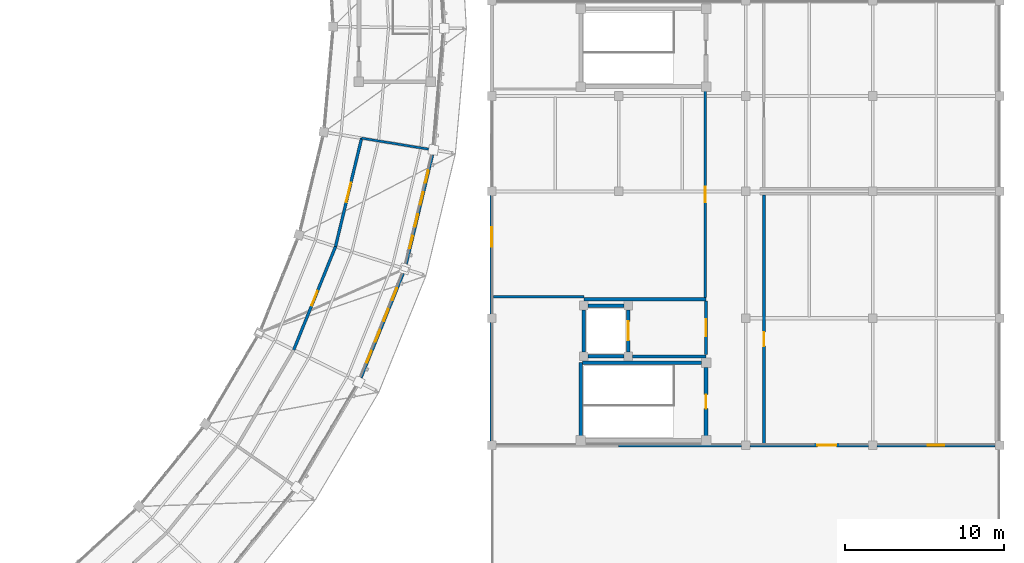
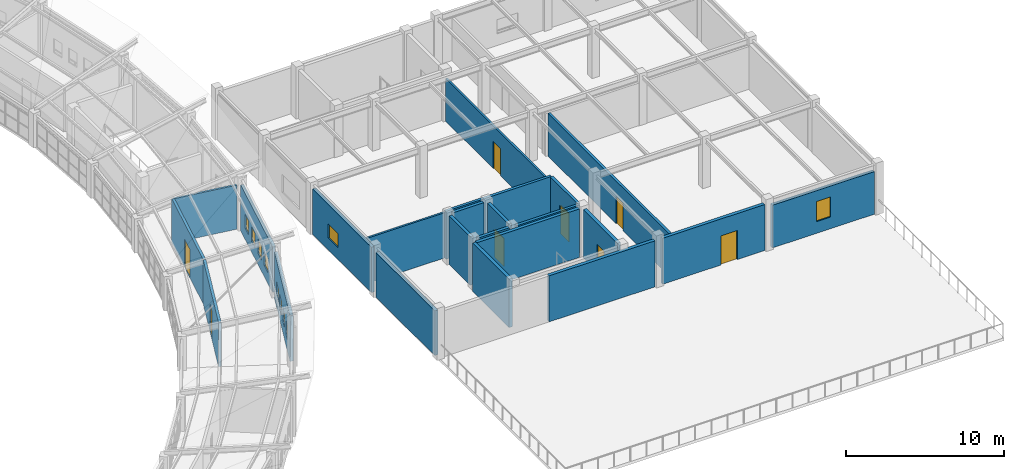
# One storey, part 132 of 149: 23 walls, 10 windows, 8 doors, 18 openings.
"""IFC4 building model written with IfcOpenShell, lengths in metres."""

from ifc_helpers import new_model, si_unit, direction, frame, frame_2d, origin, place, context, subcontext, project, spatial, rectangle, extrude, material, layer, layer_set, type_object, element, fill, save


model = new_model("IFC4")

# Units and contexts
model_context = context("Model", 3, precision=1e-05, world=origin(), true_north=direction((0.0, 1.0)))
body_context = subcontext(model_context, "Body", "Model", "MODEL_VIEW")
ifc_project = project(units=[si_unit("LENGTHUNIT", "METRE"), si_unit("AREAUNIT", "SQUARE_METRE"), si_unit("VOLUMEUNIT", "CUBIC_METRE"), si_unit("PLANEANGLEUNIT", "RADIAN"), si_unit("MASSUNIT", "GRAM", prefix="KILO")], contexts=[model_context])

# Site, building, storey
site_placement = place(None, origin())
site = spatial("IfcSite", under=ifc_project, at=site_placement, CompositionType="ELEMENT")
building_placement = place(site_placement, origin())
building = spatial("IfcBuilding", under=site, at=building_placement, Name="Celadon Cloister-Ring School", CompositionType="ELEMENT")
storey_placement = place(building_placement, frame((0.0, 0.0, 12.5)))
storey = spatial("IfcBuildingStorey", under=building, at=storey_placement, Name="L03", CompositionType="ELEMENT", Elevation=12.5)

# Wall
ifc_material_1 = material(Name="Rendered concrete blockwork", Category="masonry")
ifc_layer_1 = layer(ifc_material_1, 0.239990234375)
ifc_layer_set_1 = layer_set([ifc_layer_1], Name="Rendered concrete blockwork")
wall_type_1 = type_object("IfcWallType", Name="WT-EX3", PredefinedType="SOLIDWALL", material=ifc_layer_set_1)
wall_1_placement = place(storey_placement, frame((142.0, 32.277099609375, 0.0), z_axis=(0.0, 0.0, 1.0), x_axis=(0.0, 1.0, 0.0)))
element("IfcWall", 1, at=wall_1_placement, inside=storey, type_object=wall_type_1, Name="Exterior Wall 0471", PredefinedType="SOLIDWALL", context=body_context, shape_type="SweptSolid", body=[
    extrude(rectangle(XDim=7.44580078125, YDim=0.239990234375, at=frame_2d((3.722900390625, 0.0))), origin(), (0.0, 0.0, 1.0), 3.44189453125),
])

# Wall, opening, window
wall_2_placement = place(storey_placement, frame((142.0, 40.277099609375, 0.0), z_axis=(0.0, 0.0, 1.0), x_axis=(0.0, 1.0, 0.0)))
wall_2 = element("IfcWall", 2, at=wall_2_placement, inside=storey, type_object=wall_type_1, Name="Exterior Wall 0472", PredefinedType="SOLIDWALL", context=body_context, shape_type="SweptSolid", body=[
    extrude(rectangle(XDim=7.44580078125, YDim=0.239990234375, at=frame_2d((3.722900390625, 0.0))), origin(), (0.0, 0.0, 1.0), 3.493896484375),
])
opening_1_placement = place(wall_2_placement, frame((4.215087890625, 0.0, 0.89990234375)))
opening_1 = element("IfcOpeningElement", 3, at=opening_1_placement, cuts=wall_2, Name="Opening WN-04", PredefinedType="OPENING", context=body_context, shape_type="SweptSolid", body=[
    extrude(rectangle(XDim=1.25, YDim=1.10009765625, at=frame_2d((0.625, 0.550048828125))), frame((0.0, 0.1298828125, 0.0), z_axis=(0.0, -1.0, 0.0), x_axis=(1.0, 0.0, 0.0)), (0.0, 0.0, 1.0), 0.260009765625),
])
ifc_material_2 = material(Name="Tempered laminated insulating glass", Category="glass")
window_type_1 = type_object("IfcWindowType", Name="WN-04", PartitioningType="SINGLE_PANEL", PredefinedType="WINDOW", material=ifc_material_2)
window_1_placement = place(opening_1_placement, origin())
window_1 = element("IfcWindow", 4, at=window_1_placement, inside=storey, type_object=window_type_1, Name="Window 0989", OverallHeight=1.10009765625, OverallWidth=1.25, PartitioningType="SINGLE_PANEL", PredefinedType="WINDOW", context=body_context, shape_type="SweptSolid", body=[
    extrude(rectangle(XDim=1.25, YDim=1.10009765625, at=frame_2d((0.625, 0.550048828125))), frame((0.0, 0.030029296875, 0.0), z_axis=(0.0, -1.0, 0.0), x_axis=(1.0, 0.0, 0.0)), (0.0, 0.0, 1.0), 0.06005859375),
])
fill(opening_1, window_1)

wall_3_placement = place(storey_placement, frame((173.722900390625, 32.0, 0.0), z_axis=(0.0, 0.0, 1.0), x_axis=(-1.0, 0.0, 0.0)))
wall_3 = element("IfcWall", 5, at=wall_3_placement, inside=storey, type_object=wall_type_1, Name="Exterior Wall 0483", PredefinedType="SOLIDWALL", context=body_context, shape_type="SweptSolid", body=[
    extrude(rectangle(XDim=7.44580078125, YDim=0.239990234375, at=frame_2d((3.722900390625, 0.0))), origin(), (0.0, 0.0, 1.0), 3.2890625),
])
opening_2_placement = place(wall_3_placement, frame((3.197998046875, 0.0, 0.89990234375)))
opening_2 = element("IfcOpeningElement", 6, at=opening_2_placement, cuts=wall_3, Name="Opening WN-32", PredefinedType="OPENING", context=body_context, shape_type="SweptSolid", body=[
    extrude(rectangle(XDim=1.050048828125, YDim=1.550048828125, at=frame_2d((0.52490234375, 0.77490234375))), frame((0.0, 0.1298828125, 0.0), z_axis=(0.0, -1.0, 0.0), x_axis=(1.0, 0.0, 0.0)), (0.0, 0.0, 1.0), 0.260009765625),
])
ifc_material_3 = material(Name="Tempered laminated insulating glass", Category="glass")
window_type_2 = type_object("IfcWindowType", Name="WN-32", PartitioningType="SINGLE_PANEL", PredefinedType="WINDOW", material=ifc_material_3)
window_2_placement = place(opening_2_placement, origin())
window_2 = element("IfcWindow", 7, at=window_2_placement, inside=storey, type_object=window_type_2, Name="Window 0994", OverallHeight=1.550048828125, OverallWidth=1.050048828125, PartitioningType="SINGLE_PANEL", PredefinedType="WINDOW", context=body_context, shape_type="SweptSolid", body=[
    extrude(rectangle(XDim=1.050048828125, YDim=1.550048828125, at=frame_2d((0.52490234375, 0.77490234375))), frame((0.0, 0.030029296875, 0.0), z_axis=(0.0, -1.0, 0.0), x_axis=(1.0, 0.0, 0.0)), (0.0, 0.0, 1.0), 0.06005859375),
])
fill(opening_2, window_2)

# Wall, opening, door
wall_4_placement = place(storey_placement, frame((165.722900390625, 32.0, 0.0), z_axis=(0.0, 0.0, 1.0), x_axis=(-1.0, 0.0, 0.0)))
wall_4 = element("IfcWall", 8, at=wall_4_placement, inside=storey, type_object=wall_type_1, Name="Exterior Wall 0484", PredefinedType="SOLIDWALL", context=body_context, shape_type="SweptSolid", body=[
    extrude(rectangle(XDim=7.44580078125, YDim=0.239990234375, at=frame_2d((3.722900390625, 0.0))), origin(), (0.0, 0.0, 1.0), 3.550048828125),
])
opening_3_placement = place(wall_4_placement, frame((2.006103515625, 0.0, 0.0)))
opening_3 = element("IfcOpeningElement", 9, at=opening_3_placement, cuts=wall_4, Name="Opening D-0023", PredefinedType="OPENING", context=body_context, shape_type="SweptSolid", body=[
    extrude(rectangle(XDim=1.199951171875, YDim=2.25, at=frame_2d((0.60009765625, 1.125))), frame((0.0, 0.1298828125, 0.0), z_axis=(0.0, -1.0, 0.0), x_axis=(1.0, 0.0, 0.0)), (0.0, 0.0, 1.0), 0.260009765625),
])
ifc_material_4 = material(Name="Aluminium EN AW-6063 T6", Category="aluminium")
door_type_1 = type_object("IfcDoorType", Name="DE-06", OperationType="NOTDEFINED", PredefinedType="DOOR", material=ifc_material_4)
door_1_placement = place(opening_3_placement, origin())
door_1 = element("IfcDoor", 10, at=door_1_placement, inside=storey, type_object=door_type_1, Name="Exterior Door D-0023", OperationType="SINGLE_SWING_LEFT", OverallHeight=2.25, OverallWidth=1.199951171875, PredefinedType="DOOR", context=body_context, shape_type="SweptSolid", body=[
    extrude(rectangle(XDim=1.199951171875, YDim=2.25, at=frame_2d((0.60009765625, 1.125))), frame((0.0, 0.02490234375, 0.0), z_axis=(0.0, -1.0, 0.0), x_axis=(1.0, 0.0, 0.0)), (0.0, 0.0, 1.0), 0.050048828125),
])
fill(opening_3, door_1)

# Wall
wall_5_placement = place(storey_placement, frame((157.722900390625, 32.0, 0.0), z_axis=(0.0, 0.0, 1.0), x_axis=(-1.0, 0.0, 0.0)))
element("IfcWall", 11, at=wall_5_placement, inside=storey, type_object=wall_type_1, Name="Exterior Wall 0485", PredefinedType="SOLIDWALL", context=body_context, shape_type="SweptSolid", body=[
    extrude(rectangle(XDim=7.722900390625, YDim=0.239990234375, at=frame_2d((3.861328125, 0.0))), origin(), (0.0, 0.0, 1.0), 3.550048828125),
])

# Wall, openings, windows
ifc_material_5 = material(Name="Perforated terracotta clay brick masonry", Category="masonry")
ifc_layer_2 = layer(ifc_material_5, 0.219970703125)
ifc_layer_set_2 = layer_set([ifc_layer_2], Name="Perforated terracotta clay brick masonry")
wall_type_2 = type_object("IfcWallType", Name="WT-EX4", PredefinedType="SOLIDWALL", material=ifc_layer_set_2)
wall_6_placement = place(storey_placement, frame((136.39794921875, 42.830078125, 0.0), z_axis=(0.0, 0.0, 1.0), x_axis=(-0.375031251377, -0.92701216847, 0.0)))
wall_6 = element("IfcWall", 12, at=wall_6_placement, inside=storey, type_object=wall_type_2, Name="Exterior Wall 0199", PredefinedType="SOLIDWALL", context=body_context, shape_type="SweptSolid", body=[
    extrude(rectangle(XDim=7.08203125, YDim=0.219970703125, at=frame_2d((3.541015625, 0.0))), origin(), (0.0, 0.0, 1.0), 3.537109375),
])
opening_4_placement = place(wall_6_placement, frame((1.01611328125, 0.0, 0.85009765625)))
opening_4 = element("IfcOpeningElement", 13, at=opening_4_placement, cuts=wall_6, Name="Opening WN-01", PredefinedType="OPENING", context=body_context, shape_type="SweptSolid", body=[
    extrude(rectangle(XDim=0.800048828125, YDim=1.10009765625, at=frame_2d((0.39990234375, 0.550048828125))), frame((0.0, 0.1201171875, 0.0), z_axis=(0.0, -1.0, 0.0), x_axis=(1.0, 0.0, 0.0)), (0.0, 0.0, 1.0), 0.239990234375),
])
opening_5_placement = place(wall_6_placement, frame((2.43310546875, 0.0, 0.85009765625)))
opening_5 = element("IfcOpeningElement", 14, at=opening_5_placement, cuts=wall_6, Name="Opening WN-01", PredefinedType="OPENING", context=body_context, shape_type="SweptSolid", body=[
    extrude(rectangle(XDim=0.800048828125, YDim=1.10009765625, at=frame_2d((0.39990234375, 0.550048828125))), frame((0.0, 0.1201171875, 0.0), z_axis=(0.0, -1.0, 0.0), x_axis=(1.0, 0.0, 0.0)), (0.0, 0.0, 1.0), 0.239990234375),
])
opening_6_placement = place(wall_6_placement, frame((3.84912109375, 0.0, 0.85009765625)))
opening_6 = element("IfcOpeningElement", 15, at=opening_6_placement, cuts=wall_6, Name="Opening WN-01", PredefinedType="OPENING", context=body_context, shape_type="SweptSolid", body=[
    extrude(rectangle(XDim=0.800048828125, YDim=1.10009765625, at=frame_2d((0.39990234375, 0.550048828125))), frame((0.0, 0.1201171875, 0.0), z_axis=(0.0, -1.0, 0.0), x_axis=(1.0, 0.0, 0.0)), (0.0, 0.0, 1.0), 0.239990234375),
])
opening_7_placement = place(wall_6_placement, frame((5.26611328125, 0.0, 0.85009765625)))
opening_7 = element("IfcOpeningElement", 16, at=opening_7_placement, cuts=wall_6, Name="Opening WN-01", PredefinedType="OPENING", context=body_context, shape_type="SweptSolid", body=[
    extrude(rectangle(XDim=0.800048828125, YDim=1.10009765625, at=frame_2d((0.39990234375, 0.550048828125))), frame((0.0, 0.1201171875, 0.0), z_axis=(0.0, -1.0, 0.0), x_axis=(1.0, 0.0, 0.0)), (0.0, 0.0, 1.0), 0.239990234375),
])
ifc_material_6 = material(Name="Tempered laminated insulating glass", Category="glass")
window_type_3 = type_object("IfcWindowType", Name="WN-01", PartitioningType="SINGLE_PANEL", PredefinedType="WINDOW", material=ifc_material_6)
window_3_placement = place(opening_4_placement, origin())
window_3 = element("IfcWindow", 17, at=window_3_placement, inside=storey, type_object=window_type_3, Name="Window 0538", OverallHeight=1.10009765625, OverallWidth=0.800048828125, PartitioningType="SINGLE_PANEL", PredefinedType="WINDOW", context=body_context, shape_type="SweptSolid", body=[
    extrude(rectangle(XDim=0.800048828125, YDim=1.10009765625, at=frame_2d((0.39990234375, 0.550048828125))), frame((0.0, 0.030029296875, 0.0), z_axis=(0.0, -1.0, 0.0), x_axis=(1.0, 0.0, 0.0)), (0.0, 0.0, 1.0), 0.06005859375),
])
fill(opening_4, window_3)
window_4_placement = place(opening_5_placement, origin())
window_4 = element("IfcWindow", 18, at=window_4_placement, inside=storey, type_object=window_type_3, Name="Window 0539", OverallHeight=1.10009765625, OverallWidth=0.800048828125, PartitioningType="SINGLE_PANEL", PredefinedType="WINDOW", context=body_context, shape_type="SweptSolid", body=[
    extrude(rectangle(XDim=0.800048828125, YDim=1.10009765625, at=frame_2d((0.39990234375, 0.550048828125))), frame((0.0, 0.030029296875, 0.0), z_axis=(0.0, -1.0, 0.0), x_axis=(1.0, 0.0, 0.0)), (0.0, 0.0, 1.0), 0.06005859375),
])
fill(opening_5, window_4)
window_5_placement = place(opening_6_placement, origin())
window_5 = element("IfcWindow", 19, at=window_5_placement, inside=storey, type_object=window_type_3, Name="Window 0540", OverallHeight=1.10009765625, OverallWidth=0.800048828125, PartitioningType="SINGLE_PANEL", PredefinedType="WINDOW", context=body_context, shape_type="SweptSolid", body=[
    extrude(rectangle(XDim=0.800048828125, YDim=1.10009765625, at=frame_2d((0.39990234375, 0.550048828125))), frame((0.0, 0.030029296875, 0.0), z_axis=(0.0, -1.0, 0.0), x_axis=(1.0, 0.0, 0.0)), (0.0, 0.0, 1.0), 0.06005859375),
])
fill(opening_6, window_5)
window_6_placement = place(opening_7_placement, origin())
window_6 = element("IfcWindow", 20, at=window_6_placement, inside=storey, type_object=window_type_3, Name="Window 0541", OverallHeight=1.10009765625, OverallWidth=0.800048828125, PartitioningType="SINGLE_PANEL", PredefinedType="WINDOW", context=body_context, shape_type="SweptSolid", body=[
    extrude(rectangle(XDim=0.800048828125, YDim=1.10009765625, at=frame_2d((0.39990234375, 0.550048828125))), frame((0.0, 0.030029296875, 0.0), z_axis=(0.0, -1.0, 0.0), x_axis=(1.0, 0.0, 0.0)), (0.0, 0.0, 1.0), 0.06005859375),
])
fill(opening_7, window_6)

wall_7_placement = place(storey_placement, frame((138.2451171875, 50.304931640625, 0.0), z_axis=(0.0, 0.0, 1.0), x_axis=(-0.234017027709, -0.972232498296, 0.0)))
wall_7 = element("IfcWall", 21, at=wall_7_placement, inside=storey, type_object=wall_type_2, Name="Exterior Wall 0200", PredefinedType="SOLIDWALL", context=body_context, shape_type="SweptSolid", body=[
    extrude(rectangle(XDim=7.08154296875, YDim=0.219970703125, at=frame_2d((3.540771484375, 0.0))), origin(), (0.0, 0.0, 1.0), 3.537109375),
])
opening_8_placement = place(wall_7_placement, frame((1.01611328125, 0.0, 0.85009765625)))
opening_8 = element("IfcOpeningElement", 22, at=opening_8_placement, cuts=wall_7, Name="Opening WN-01", PredefinedType="OPENING", context=body_context, shape_type="SweptSolid", body=[
    extrude(rectangle(XDim=0.800048828125, YDim=1.10009765625, at=frame_2d((0.39990234375, 0.550048828125))), frame((0.0, 0.1201171875, 0.0), z_axis=(0.0, -1.0, 0.0), x_axis=(1.0, 0.0, 0.0)), (0.0, 0.0, 1.0), 0.239990234375),
])
opening_9_placement = place(wall_7_placement, frame((2.43310546875, 0.0, 0.85009765625)))
opening_9 = element("IfcOpeningElement", 23, at=opening_9_placement, cuts=wall_7, Name="Opening WN-01", PredefinedType="OPENING", context=body_context, shape_type="SweptSolid", body=[
    extrude(rectangle(XDim=0.800048828125, YDim=1.10009765625, at=frame_2d((0.39990234375, 0.550048828125))), frame((0.0, 0.1201171875, 0.0), z_axis=(0.0, -1.0, 0.0), x_axis=(1.0, 0.0, 0.0)), (0.0, 0.0, 1.0), 0.239990234375),
])
opening_10_placement = place(wall_7_placement, frame((3.84912109375, 0.0, 0.85009765625)))
opening_10 = element("IfcOpeningElement", 24, at=opening_10_placement, cuts=wall_7, Name="Opening WN-01", PredefinedType="OPENING", context=body_context, shape_type="SweptSolid", body=[
    extrude(rectangle(XDim=0.800048828125, YDim=1.10009765625, at=frame_2d((0.39990234375, 0.550048828125))), frame((0.0, 0.1201171875, 0.0), z_axis=(0.0, -1.0, 0.0), x_axis=(1.0, 0.0, 0.0)), (0.0, 0.0, 1.0), 0.239990234375),
])
opening_11_placement = place(wall_7_placement, frame((5.264892578125, 0.0, 0.85009765625)))
opening_11 = element("IfcOpeningElement", 25, at=opening_11_placement, cuts=wall_7, Name="Opening WN-01", PredefinedType="OPENING", context=body_context, shape_type="SweptSolid", body=[
    extrude(rectangle(XDim=0.800048828125, YDim=1.10009765625, at=frame_2d((0.39990234375, 0.550048828125))), frame((0.0, 0.1201171875, 0.0), z_axis=(0.0, -1.0, 0.0), x_axis=(1.0, 0.0, 0.0)), (0.0, 0.0, 1.0), 0.239990234375),
])
window_7_placement = place(opening_8_placement, origin())
window_7 = element("IfcWindow", 26, at=window_7_placement, inside=storey, type_object=window_type_3, Name="Window 0542", OverallHeight=1.10009765625, OverallWidth=0.800048828125, PartitioningType="SINGLE_PANEL", PredefinedType="WINDOW", context=body_context, shape_type="SweptSolid", body=[
    extrude(rectangle(XDim=0.800048828125, YDim=1.10009765625, at=frame_2d((0.39990234375, 0.550048828125))), frame((0.0, 0.030029296875, 0.0), z_axis=(0.0, -1.0, 0.0), x_axis=(1.0, 0.0, 0.0)), (0.0, 0.0, 1.0), 0.06005859375),
])
fill(opening_8, window_7)
window_8_placement = place(opening_9_placement, origin())
window_8 = element("IfcWindow", 27, at=window_8_placement, inside=storey, type_object=window_type_3, Name="Window 0543", OverallHeight=1.10009765625, OverallWidth=0.800048828125, PartitioningType="SINGLE_PANEL", PredefinedType="WINDOW", context=body_context, shape_type="SweptSolid", body=[
    extrude(rectangle(XDim=0.800048828125, YDim=1.10009765625, at=frame_2d((0.39990234375, 0.550048828125))), frame((0.0, 0.030029296875, 0.0), z_axis=(0.0, -1.0, 0.0), x_axis=(1.0, 0.0, 0.0)), (0.0, 0.0, 1.0), 0.06005859375),
])
fill(opening_9, window_8)
window_9_placement = place(opening_10_placement, origin())
window_9 = element("IfcWindow", 28, at=window_9_placement, inside=storey, type_object=window_type_3, Name="Window 0544", OverallHeight=1.10009765625, OverallWidth=0.800048828125, PartitioningType="SINGLE_PANEL", PredefinedType="WINDOW", context=body_context, shape_type="SweptSolid", body=[
    extrude(rectangle(XDim=0.800048828125, YDim=1.10009765625, at=frame_2d((0.39990234375, 0.550048828125))), frame((0.0, 0.030029296875, 0.0), z_axis=(0.0, -1.0, 0.0), x_axis=(1.0, 0.0, 0.0)), (0.0, 0.0, 1.0), 0.06005859375),
])
fill(opening_10, window_9)
window_10_placement = place(opening_11_placement, origin())
window_10 = element("IfcWindow", 29, at=window_10_placement, inside=storey, type_object=window_type_3, Name="Window 0545", OverallHeight=1.10009765625, OverallWidth=0.800048828125, PartitioningType="SINGLE_PANEL", PredefinedType="WINDOW", context=body_context, shape_type="SweptSolid", body=[
    extrude(rectangle(XDim=0.800048828125, YDim=1.10009765625, at=frame_2d((0.39990234375, 0.550048828125))), frame((0.0, 0.030029296875, 0.0), z_axis=(0.0, -1.0, 0.0), x_axis=(1.0, 0.0, 0.0)), (0.0, 0.0, 1.0), 0.06005859375),
])
fill(opening_11, window_10)

# Walls
ifc_material_7 = material(Name="Plastered hollow concrete masonry", Category="masonry")
ifc_layer_3 = layer(ifc_material_7, 0.199951171875)
ifc_layer_set_3 = layer_set([ifc_layer_3], Name="Plastered hollow concrete masonry")
wall_type_3 = type_object("IfcWallType", Name="WT-PT1", PredefinedType="PARTITIONING", material=ifc_layer_set_3)
wall_8_placement = place(storey_placement, frame((150.866943359375, 37.60009765625, 0.0), z_axis=(0.0, 0.0, 1.0), x_axis=(1.0, 0.0, 0.0)))
element("IfcWall", 30, at=wall_8_placement, inside=storey, type_object=wall_type_3, Name="Interior Wall 0424", PredefinedType="PARTITIONING", context=body_context, shape_type="SweptSolid", body=[
    extrude(rectangle(XDim=4.633056640625, YDim=0.199951171875, at=frame_2d((2.31640625, 0.0))), origin(), (0.0, 0.0, 1.0), 3.699951171875),
])
wall_9_placement = place(storey_placement, frame((147.800048828125, 41.199951171875, 0.0), z_axis=(0.0, 0.0, 1.0), x_axis=(1.0, 0.0, 0.0)))
element("IfcWall", 31, at=wall_9_placement, inside=storey, type_object=wall_type_3, Name="Interior Wall 0425", PredefinedType="PARTITIONING", context=body_context, shape_type="SweptSolid", body=[
    extrude(rectangle(XDim=7.699951171875, YDim=0.199951171875, at=frame_2d((3.85009765625, 0.0))), origin(), (0.0, 0.0, 1.0), 3.699951171875),
])

# Wall, opening, door
wall_10_placement = place(storey_placement, frame((155.5, 37.702880859375, 0.0), z_axis=(0.0, 0.0, 1.0), x_axis=(0.0, 1.0, 0.0)))
wall_10 = element("IfcWall", 32, at=wall_10_placement, inside=storey, type_object=wall_type_3, Name="Interior Wall 0426", PredefinedType="PARTITIONING", context=body_context, shape_type="SweptSolid", body=[
    extrude(rectangle(XDim=3.39404296875, YDim=0.199951171875, at=frame_2d((1.697021484375, 0.0))), origin(), (0.0, 0.0, 1.0), 3.699951171875),
])
opening_12_placement = place(wall_10_placement, frame((1.1669921875, 0.0, 0.0)))
opening_12 = element("IfcOpeningElement", 33, at=opening_12_placement, cuts=wall_10, Name="Opening D-0112", PredefinedType="OPENING", context=body_context, shape_type="SweptSolid", body=[
    extrude(rectangle(XDim=1.06005859375, YDim=2.199951171875, at=frame_2d((0.530029296875, 1.10009765625))), frame((0.0, 0.10986328125, 0.0), z_axis=(0.0, -1.0, 0.0), x_axis=(1.0, 0.0, 0.0)), (0.0, 0.0, 1.0), 0.219970703125),
])
ifc_material_8 = material(Name="Solid-core fire-rated hardwood leaf", Category="wood")
door_type_2 = type_object("IfcDoorType", Name="DT-08", OperationType="NOTDEFINED", PredefinedType="DOOR", material=ifc_material_8)
door_2_placement = place(opening_12_placement, origin())
door_2 = element("IfcDoor", 34, at=door_2_placement, inside=storey, type_object=door_type_2, Name="Door D-0112", OperationType="SINGLE_SWING_RIGHT", OverallHeight=2.199951171875, OverallWidth=1.06005859375, PredefinedType="DOOR", context=body_context, shape_type="SweptSolid", body=[
    extrude(rectangle(XDim=1.06005859375, YDim=2.199951171875, at=frame_2d((0.530029296875, 1.10009765625))), frame((0.0, 0.02490234375, 0.0), z_axis=(0.0, -1.0, 0.0), x_axis=(1.0, 0.0, 0.0)), (0.0, 0.0, 1.0), 0.050048828125),
])
fill(opening_12, door_2)

ifc_material_9 = material(Name="Plastered hollow concrete masonry", Category="masonry")
ifc_layer_4 = layer(ifc_material_9, 0.179931640625)
ifc_layer_set_4 = layer_set([ifc_layer_4], Name="Plastered hollow concrete masonry")
wall_type_4 = type_object("IfcWallType", Name="WT-PT2", PredefinedType="PARTITIONING", material=ifc_layer_set_4)
wall_11_placement = place(storey_placement, frame((129.51904296875, 38.00390625, 0.0), z_axis=(0.0, 0.0, 1.0), x_axis=(0.375036360506, 0.927010101508, 0.0)))
wall_11 = element("IfcWall", 35, at=wall_11_placement, inside=storey, type_object=wall_type_4, Name="Interior Wall 0630", PredefinedType="PARTITIONING", context=body_context, shape_type="SweptSolid", body=[
    extrude(rectangle(XDim=7.026123046875, YDim=0.179931640625, at=frame_2d((3.51318359375, 0.0))), origin(), (0.0, 0.0, 1.0), 3.39697265625),
])
opening_13_placement = place(wall_11_placement, frame((3.02294921875, 0.0, 0.0)))
opening_13 = element("IfcOpeningElement", 36, at=opening_13_placement, cuts=wall_11, Name="Opening D-0227", PredefinedType="OPENING", context=body_context, shape_type="SweptSolid", body=[
    extrude(rectangle(XDim=0.97998046875, YDim=2.199951171875, at=frame_2d((0.489990234375, 1.10009765625))), frame((0.0, 0.10009765625, 0.0), z_axis=(0.0, -1.0, 0.0), x_axis=(1.0, 0.0, 0.0)), (0.0, 0.0, 1.0), 0.199951171875),
])
ifc_material_10 = material(Name="Solid-core fire-rated hardwood leaf", Category="wood")
door_type_3 = type_object("IfcDoorType", Name="DT-07", OperationType="NOTDEFINED", PredefinedType="DOOR", material=ifc_material_10)
door_3_placement = place(opening_13_placement, origin())
door_3 = element("IfcDoor", 37, at=door_3_placement, inside=storey, type_object=door_type_3, Name="Door D-0227", OperationType="SINGLE_SWING_LEFT", OverallHeight=2.199951171875, OverallWidth=0.97998046875, PredefinedType="DOOR", context=body_context, shape_type="SweptSolid", body=[
    extrude(rectangle(XDim=0.97998046875, YDim=2.199951171875, at=frame_2d((0.489990234375, 1.10009765625))), frame((0.0, 0.02490234375, 0.0), z_axis=(0.0, -1.0, 0.0), x_axis=(1.0, 0.0, 0.0)), (0.0, 0.0, 1.0), 0.050048828125),
])
fill(opening_13, door_3)

wall_12_placement = place(storey_placement, frame((132.154052734375, 44.51708984375, 0.0), z_axis=(0.0, 0.0, 1.0), x_axis=(0.234030113745, 0.972229348385, 0.0)))
wall_12 = element("IfcWall", 38, at=wall_12_placement, inside=storey, type_object=wall_type_4, Name="Interior Wall 0631", PredefinedType="PARTITIONING", context=body_context, shape_type="SweptSolid", body=[
    extrude(rectangle(XDim=7.02490234375, YDim=0.179931640625, at=frame_2d((3.512451171875, 0.0))), origin(), (0.0, 0.0, 1.0), 3.39697265625),
])
opening_14_placement = place(wall_12_placement, frame((2.887939453125, 0.0, 0.0)))
opening_14 = element("IfcOpeningElement", 39, at=opening_14_placement, cuts=wall_12, Name="Opening D-0228", PredefinedType="OPENING", context=body_context, shape_type="SweptSolid", body=[
    extrude(rectangle(XDim=1.25, YDim=2.199951171875, at=frame_2d((0.625, 1.10009765625))), frame((0.0, 0.10009765625, 0.0), z_axis=(0.0, -1.0, 0.0), x_axis=(1.0, 0.0, 0.0)), (0.0, 0.0, 1.0), 0.199951171875),
])
ifc_material_11 = material(Name="Galvanised fire-rated hollow steel leaf", Category="steel")
door_type_4 = type_object("IfcDoorType", Name="DT-10", OperationType="NOTDEFINED", PredefinedType="DOOR", material=ifc_material_11)
door_4_placement = place(opening_14_placement, origin())
door_4 = element("IfcDoor", 40, at=door_4_placement, inside=storey, type_object=door_type_4, Name="Door D-0228", OperationType="SINGLE_SWING_RIGHT", OverallHeight=2.199951171875, OverallWidth=1.25, PredefinedType="DOOR", context=body_context, shape_type="SweptSolid", body=[
    extrude(rectangle(XDim=1.25, YDim=2.199951171875, at=frame_2d((0.625, 1.10009765625))), frame((0.0, 0.02490234375, 0.0), z_axis=(0.0, -1.0, 0.0), x_axis=(1.0, 0.0, 0.0)), (0.0, 0.0, 1.0), 0.050048828125),
])
fill(opening_14, door_4)

wall_13_placement = place(storey_placement, frame((159.14990234375, 32.123046875, 0.0), z_axis=(0.0, 0.0, 1.0), x_axis=(0.0, 1.0, 0.0)))
wall_13 = element("IfcWall", 41, at=wall_13_placement, inside=storey, type_object=wall_type_4, Name="Interior Wall 1069", PredefinedType="PARTITIONING", context=body_context, shape_type="SweptSolid", body=[
    extrude(rectangle(XDim=15.634033203125, YDim=0.179931640625, at=frame_2d((7.81689453125, 0.0))), origin(), (0.0, 0.0, 1.0), 3.2890625),
])
opening_15_placement = place(wall_13_placement, frame((6.1259765625, 0.0, 0.0)))
opening_15 = element("IfcOpeningElement", 42, at=opening_15_placement, cuts=wall_13, Name="Opening D-0381", PredefinedType="OPENING", context=body_context, shape_type="SweptSolid", body=[
    extrude(rectangle(XDim=0.8798828125, YDim=2.10009765625, at=frame_2d((0.43994140625, 1.050048828125))), frame((0.0, 0.10009765625, 0.0), z_axis=(0.0, -1.0, 0.0), x_axis=(1.0, 0.0, 0.0)), (0.0, 0.0, 1.0), 0.199951171875),
])
ifc_material_12 = material(Name="Solid-core fire-rated hardwood leaf", Category="wood")
door_type_5 = type_object("IfcDoorType", Name="DT-01", OperationType="NOTDEFINED", PredefinedType="DOOR", material=ifc_material_12)
door_5_placement = place(opening_15_placement, origin())
door_5 = element("IfcDoor", 43, at=door_5_placement, inside=storey, type_object=door_type_5, Name="Door D-0381", OperationType="SINGLE_SWING_LEFT", OverallHeight=2.10009765625, OverallWidth=0.8798828125, PredefinedType="DOOR", context=body_context, shape_type="SweptSolid", body=[
    extrude(rectangle(XDim=0.8798828125, YDim=2.10009765625, at=frame_2d((0.43994140625, 1.050048828125))), frame((0.0, 0.02490234375, 0.0), z_axis=(0.0, -1.0, 0.0), x_axis=(1.0, 0.0, 0.0)), (0.0, 0.0, 1.0), 0.050048828125),
])
fill(opening_15, door_5)

# Wall
ifc_material_13 = material(Name="Acoustic mineral-wool drywall partition")
ifc_layer_5 = layer(ifc_material_13, 0.139892578125)
ifc_layer_set_5 = layer_set([ifc_layer_5], Name="Acoustic mineral-wool drywall partition")
wall_type_5 = type_object("IfcWallType", Name="WT-PT4", PredefinedType="PARTITIONING", material=ifc_layer_set_5)
wall_14_placement = place(storey_placement, frame((133.798095703125, 51.346923828125, 0.0), z_axis=(0.0, 0.0, 1.0), x_axis=(0.986860722003, -0.161573250781, 0.0)))
element("IfcWall", 44, at=wall_14_placement, inside=storey, type_object=wall_type_5, Name="Interior Wall 0603", PredefinedType="PARTITIONING", context=body_context, shape_type="SweptSolid", body=[
    extrude(rectangle(XDim=4.288330078125, YDim=0.139892578125, at=frame_2d((2.14404296875, 0.0))), origin(), (0.0, 0.0, 1.0), 3.39697265625),
])

# Wall, opening, door
wall_15_placement = place(storey_placement, frame((155.449951171875, 54.30810546875, 0.0), z_axis=(0.0, 0.0, 1.0), x_axis=(0.0, -1.0, 0.0)))
wall_15 = element("IfcWall", 45, at=wall_15_placement, inside=storey, type_object=wall_type_5, Name="Interior Wall 1074", PredefinedType="PARTITIONING", context=body_context, shape_type="SweptSolid", body=[
    extrude(rectangle(XDim=13.005126953125, YDim=0.139892578125, at=frame_2d((6.50244140625, 0.0))), origin(), (0.0, 0.0, 1.0), 3.2890625),
])
opening_16_placement = place(wall_15_placement, frame((6.02294921875, 0.0, 0.0)))
opening_16 = element("IfcOpeningElement", 46, at=opening_16_placement, cuts=wall_15, Name="Opening D-0383", PredefinedType="OPENING", context=body_context, shape_type="SweptSolid", body=[
    extrude(rectangle(XDim=0.9599609375, YDim=2.10009765625, at=frame_2d((0.47998046875, 1.050048828125))), frame((0.0, 0.080078125, 0.0), z_axis=(0.0, -1.0, 0.0), x_axis=(1.0, 0.0, 0.0)), (0.0, 0.0, 1.0), 0.159912109375),
])
ifc_material_14 = material(Name="Solid-core fire-rated hardwood leaf", Category="wood")
door_type_6 = type_object("IfcDoorType", Name="DT-03", OperationType="NOTDEFINED", PredefinedType="DOOR", material=ifc_material_14)
door_6_placement = place(opening_16_placement, origin())
door_6 = element("IfcDoor", 47, at=door_6_placement, inside=storey, type_object=door_type_6, Name="Door D-0383", OperationType="SINGLE_SWING_LEFT", OverallHeight=2.10009765625, OverallWidth=0.9599609375, PredefinedType="DOOR", context=body_context, shape_type="SweptSolid", body=[
    extrude(rectangle(XDim=0.9599609375, YDim=2.10009765625, at=frame_2d((0.47998046875, 1.050048828125))), frame((0.0, 0.02490234375, 0.0), z_axis=(0.0, -1.0, 0.0), x_axis=(1.0, 0.0, 0.0)), (0.0, 0.0, 1.0), 0.050048828125),
])
fill(opening_16, door_6)

# Walls
wall_16_placement = place(storey_placement, frame((147.800048828125, 41.35009765625, 0.0), z_axis=(0.0, 0.0, 1.0), x_axis=(-1.0, 0.0, 0.0)))
element("IfcWall", 48, at=wall_16_placement, inside=storey, type_object=wall_type_5, Name="Interior Wall 1075", PredefinedType="PARTITIONING", context=body_context, shape_type="SweptSolid", body=[
    extrude(rectangle(XDim=5.677001953125, YDim=0.139892578125, at=frame_2d((2.83837890625, 0.0))), origin(), (0.0, 0.0, 1.0), 3.493896484375),
])
ifc_material_15 = material(Name="Concrete C40/50", Category="concrete")
ifc_layer_6 = layer(ifc_material_15, 0.239990234375)
ifc_layer_set_6 = layer_set([ifc_layer_6], Name="Concrete C40/50")
wall_type_6 = type_object("IfcWallType", Name="WT-SH1", PredefinedType="SHEAR", material=ifc_layer_set_6)
wall_17_placement = place(storey_placement, frame((147.60009765625, 32.592041015625, 0.0), z_axis=(0.0, 0.0, 1.0), x_axis=(0.0, 1.0, 0.0)))
element("IfcWall", 49, at=wall_17_placement, inside=storey, type_object=wall_type_6, Name="Interior Wall 0141", PredefinedType="SHEAR", context=body_context, shape_type="SweptSolid", body=[
    extrude(rectangle(XDim=4.60791015625, YDim=0.239990234375, at=frame_2d((2.303955078125, 0.0))), origin(), (0.0, 0.0, 1.0), 3.739990234375),
])

# Wall, opening, door
wall_18_placement = place(storey_placement, frame((155.5, 36.907958984375, 0.0), z_axis=(0.0, 0.0, 1.0), x_axis=(0.0, -1.0, 0.0)))
wall_18 = element("IfcWall", 50, at=wall_18_placement, inside=storey, type_object=wall_type_6, Name="Interior Wall 0142", PredefinedType="SHEAR", context=body_context, shape_type="SweptSolid", body=[
    extrude(rectangle(XDim=4.31591796875, YDim=0.239990234375, at=frame_2d((2.157958984375, 0.0))), origin(), (0.0, 0.0, 1.0), 3.739990234375),
])
opening_17_placement = place(wall_18_placement, frame((1.718017578125, 0.0, 0.0)))
opening_17 = element("IfcOpeningElement", 51, at=opening_17_placement, cuts=wall_18, Name="Opening D-0068", PredefinedType="OPENING", context=body_context, shape_type="SweptSolid", body=[
    extrude(rectangle(XDim=0.8798828125, YDim=2.10009765625, at=frame_2d((0.43994140625, 1.050048828125))), frame((0.0, 0.1298828125, 0.0), z_axis=(0.0, -1.0, 0.0), x_axis=(1.0, 0.0, 0.0)), (0.0, 0.0, 1.0), 0.260009765625),
])
door_7_placement = place(opening_17_placement, origin())
door_7 = element("IfcDoor", 52, at=door_7_placement, inside=storey, type_object=door_type_5, Name="Door D-0068", OperationType="SINGLE_SWING_RIGHT", OverallHeight=2.10009765625, OverallWidth=0.8798828125, PredefinedType="DOOR", context=body_context, shape_type="SweptSolid", body=[
    extrude(rectangle(XDim=0.8798828125, YDim=2.10009765625, at=frame_2d((0.43994140625, 1.050048828125))), frame((0.0, 0.02490234375, 0.0), z_axis=(0.0, -1.0, 0.0), x_axis=(1.0, 0.0, 0.0)), (0.0, 0.0, 1.0), 0.050048828125),
])
fill(opening_17, door_7)

# Walls
wall_19_placement = place(storey_placement, frame((155.2080078125, 37.199951171875, 0.0), z_axis=(0.0, 0.0, 1.0), x_axis=(-1.0, 0.0, 0.0)))
element("IfcWall", 53, at=wall_19_placement, inside=storey, type_object=wall_type_6, Name="Interior Wall 0144", PredefinedType="SHEAR", context=body_context, shape_type="SweptSolid", body=[
    extrude(rectangle(XDim=7.485107421875, YDim=0.239990234375, at=frame_2d((3.74267578125, 0.0))), origin(), (0.0, 0.0, 1.0), 3.739990234375),
])
ifc_material_16 = material(Name="Concrete C40/50", Category="concrete")
ifc_layer_7 = layer(ifc_material_16, 0.219970703125)
ifc_layer_set_7 = layer_set([ifc_layer_7], Name="Concrete C40/50")
wall_type_7 = type_object("IfcWallType", Name="WT-SH2", PredefinedType="SHEAR", material=ifc_layer_set_7)
wall_20_placement = place(storey_placement, frame((148.06689453125, 37.60009765625, 0.0), z_axis=(0.0, 0.0, 1.0), x_axis=(1.0, 0.0, 0.0)))
element("IfcWall", 54, at=wall_20_placement, inside=storey, type_object=wall_type_7, Name="Interior Wall 0420", PredefinedType="SHEAR", context=body_context, shape_type="SweptSolid", body=[
    extrude(rectangle(XDim=2.26611328125, YDim=0.219970703125, at=frame_2d((1.133056640625, 0.0))), origin(), (0.0, 0.0, 1.0), 3.739990234375),
])

# Wall, opening, door
wall_21_placement = place(storey_placement, frame((150.60009765625, 37.866943359375, 0.0), z_axis=(0.0, 0.0, 1.0), x_axis=(0.0, 1.0, 0.0)))
wall_21 = element("IfcWall", 55, at=wall_21_placement, inside=storey, type_object=wall_type_7, Name="Interior Wall 0421", PredefinedType="SHEAR", context=body_context, shape_type="SweptSolid", body=[
    extrude(rectangle(XDim=2.666015625, YDim=0.219970703125, at=frame_2d((1.3330078125, 0.0))), origin(), (0.0, 0.0, 1.0), 3.739990234375),
])
opening_18_placement = place(wall_21_placement, frame((0.73291015625, 0.0, 0.0)))
opening_18 = element("IfcOpeningElement", 56, at=opening_18_placement, cuts=wall_21, Name="Opening LD-028", PredefinedType="OPENING", context=body_context, shape_type="SweptSolid", body=[
    extrude(rectangle(XDim=1.199951171875, YDim=2.14990234375, at=frame_2d((0.60009765625, 1.074951171875))), frame((0.0, 0.1201171875, 0.0), z_axis=(0.0, -1.0, 0.0), x_axis=(1.0, 0.0, 0.0)), (0.0, 0.0, 1.0), 0.239990234375),
])
ifc_material_17 = material(Name="Galvanised fire-rated hollow steel leaf", Category="steel")
door_type_7 = type_object("IfcDoorType", Name="DT-LD2", OperationType="DOUBLE_DOOR_SLIDING", PredefinedType="DOOR", material=ifc_material_17)
door_8_placement = place(opening_18_placement, origin())
door_8 = element("IfcDoor", 57, at=door_8_placement, inside=storey, type_object=door_type_7, Name="Door LD-028", OperationType="DOUBLE_DOOR_SLIDING", OverallHeight=2.14990234375, OverallWidth=1.199951171875, PredefinedType="DOOR", context=body_context, shape_type="SweptSolid", body=[
    extrude(rectangle(XDim=1.199951171875, YDim=2.14990234375, at=frame_2d((0.60009765625, 1.074951171875))), frame((0.0, 0.02490234375, 0.0), z_axis=(0.0, -1.0, 0.0), x_axis=(1.0, 0.0, 0.0)), (0.0, 0.0, 1.0), 0.050048828125),
])
fill(opening_18, door_8)

# Walls
wall_22_placement = place(storey_placement, frame((150.3330078125, 40.800048828125, 0.0), z_axis=(0.0, 0.0, 1.0), x_axis=(-1.0, 0.0, 0.0)))
element("IfcWall", 58, at=wall_22_placement, inside=storey, type_object=wall_type_7, Name="Interior Wall 0422", PredefinedType="SHEAR", context=body_context, shape_type="SweptSolid", body=[
    extrude(rectangle(XDim=2.26611328125, YDim=0.219970703125, at=frame_2d((1.133056640625, 0.0))), origin(), (0.0, 0.0, 1.0), 3.739990234375),
])
wall_23_placement = place(storey_placement, frame((147.800048828125, 40.532958984375, 0.0), z_axis=(0.0, 0.0, 1.0), x_axis=(0.0, -1.0, 0.0)))
element("IfcWall", 59, at=wall_23_placement, inside=storey, type_object=wall_type_7, Name="Interior Wall 0423", PredefinedType="SHEAR", context=body_context, shape_type="SweptSolid", body=[
    extrude(rectangle(XDim=2.666015625, YDim=0.219970703125, at=frame_2d((1.3330078125, 0.0))), origin(), (0.0, 0.0, 1.0), 3.739990234375),
])

save(model, "model.ifc")
